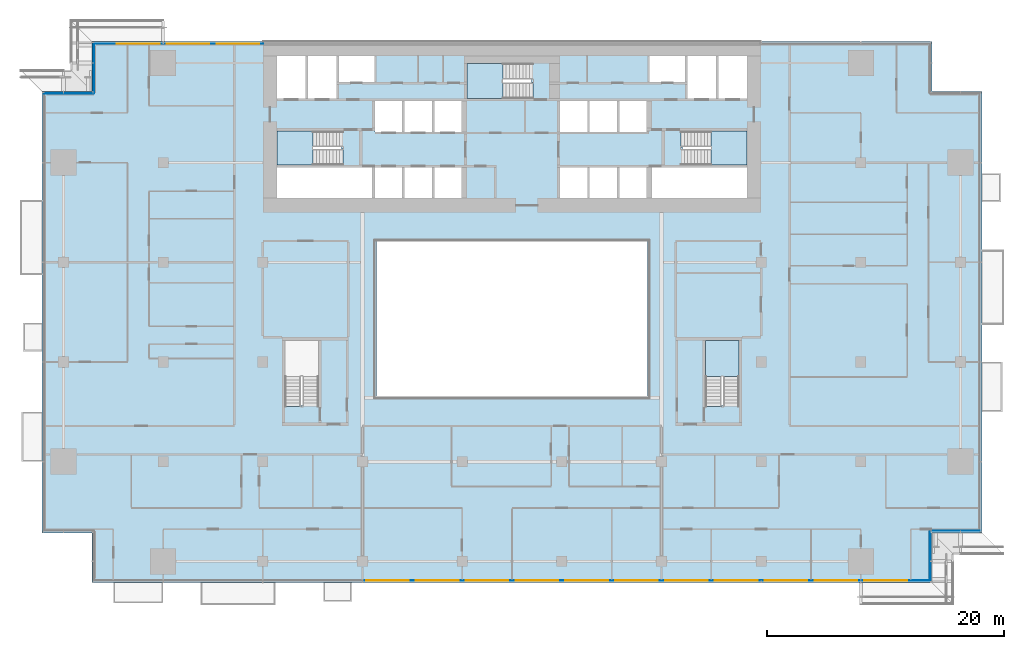
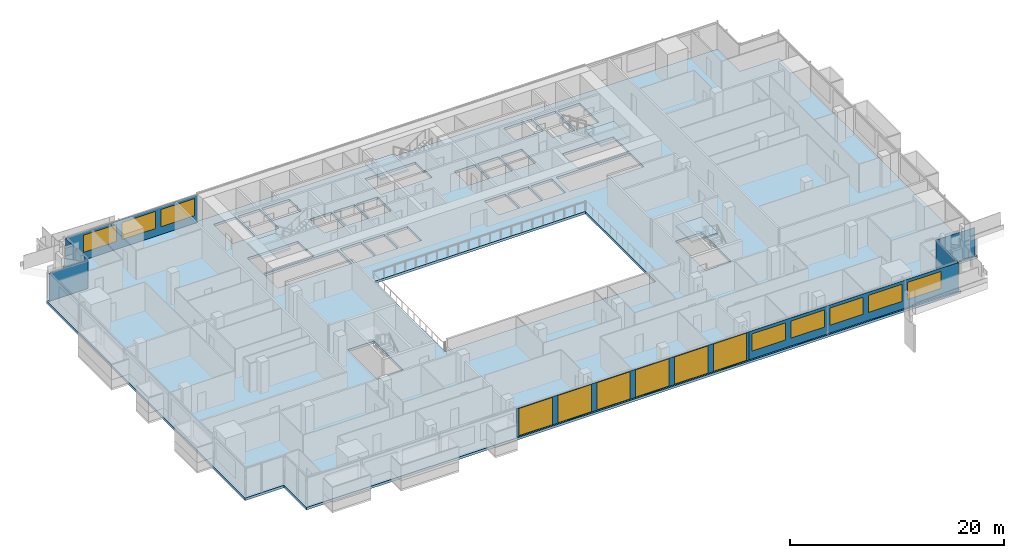
# One storey, part 15 of 29: 14 windows, 7 plates, 5 slabs, 14 openings, 10 elements without a shape of their own.
"""IFC4 building model written with IfcOpenShell, lengths in metres."""

from ifc_helpers import new_model, si_unit, direction, frame, frame_2d, origin, place, context, subcontext, project, spatial, polyline, rectangle, outline, extrude, material, layer, layer_set, type_object, element, fill, aggregate, save


model = new_model("IFC4")

# Units and contexts
model_context = context("Model", 3, precision=1e-05, world=origin(), true_north=direction((0.0, 1.0)))
body_context = subcontext(model_context, "Body", "Model", "MODEL_VIEW")
ifc_project = project(units=[si_unit("LENGTHUNIT", "METRE"), si_unit("AREAUNIT", "SQUARE_METRE"), si_unit("VOLUMEUNIT", "CUBIC_METRE"), si_unit("PLANEANGLEUNIT", "RADIAN"), si_unit("MASSUNIT", "GRAM", prefix="KILO")], contexts=[model_context])

# Site, building, storey
site_placement = place(None, origin())
site = spatial("IfcSite", under=ifc_project, at=site_placement, CompositionType="ELEMENT")
building_placement = place(site_placement, origin())
building = spatial("IfcBuilding", under=site, at=building_placement, Name="Saffron Gate Tower", CompositionType="ELEMENT")
storey_placement = place(building_placement, frame((0.0, 0.0, 48.0)))
storey = spatial("IfcBuildingStorey", under=building, at=storey_placement, Name="L10", CompositionType="ELEMENT", Elevation=48.0)

# Curtain wall, plates, openings, windows
ifc_material_1 = material(Name="Aluminium, bronze anodised", Category="aluminium")
curtain_wall_type_1 = type_object("IfcCurtainWallType", Name="CWS1 curtain wall front facade", PredefinedType="NOTDEFINED", material=ifc_material_1)
curtain_wall_1_placement = place(storey_placement, origin())
curtain_wall_1 = element("IfcCurtainWall", 1, at=curtain_wall_1_placement, inside=storey, type_object=curtain_wall_type_1, Name="CWS1 run 1", PredefinedType="NOTDEFINED")
ifc_material_2 = material(Name="Clear low-iron laminated glass", Category="glass")
ifc_layer_1 = layer(ifc_material_2, 0.028076171875)
ifc_layer_set_1 = layer_set([ifc_layer_1], Name="CWS1 clear glass")
plate_type_1 = type_object("IfcPlateType", Name="CWS1 clear glass", PredefinedType="CURTAIN_PANEL", material=ifc_layer_set_1)
plate_1_placement = place(storey_placement, frame((75.030029296875, 30.174072265625, 0.0), z_axis=(0.0, 0.0, 1.0), x_axis=(1.0, 0.0, 0.0)))
plate_1 = element("IfcPlate", 2, at=plate_1_placement, type_object=plate_type_1, Name="CWS1 clear glass panel", PredefinedType="CURTAIN_PANEL", context=body_context, shape_type="SweptSolid", body=[
    extrude(rectangle(XDim=25.139892578125, YDim=0.028076171875, at=frame_2d((12.56982421875, 0.0))), origin(), (0.0, 0.0, 1.0), 3.199951171875),
])
opening_1_placement = place(plate_1_placement, frame((0.27001953125, 0.0, 0.050048828125)))
opening_1 = element("IfcOpeningElement", 3, at=opening_1_placement, cuts=plate_1, Name="Opening WA", PredefinedType="OPENING", context=body_context, shape_type="SweptSolid", body=[
    extrude(rectangle(XDim=3.60009765625, YDim=3.10009765625, at=frame_2d((1.800048828125, 1.550048828125))), frame((0.0, 0.02392578125, 0.0), z_axis=(0.0, -1.0, 0.0), x_axis=(1.0, 0.0, 0.0)), (0.0, 0.0, 1.0), 0.048095703125),
])
opening_2_placement = place(plate_1_placement, frame((4.469970703125, 0.0, 0.050048828125)))
opening_2 = element("IfcOpeningElement", 4, at=opening_2_placement, cuts=plate_1, Name="Opening WA", PredefinedType="OPENING", context=body_context, shape_type="SweptSolid", body=[
    extrude(rectangle(XDim=3.60009765625, YDim=3.10009765625, at=frame_2d((1.800048828125, 1.550048828125))), frame((0.0, 0.02392578125, 0.0), z_axis=(0.0, -1.0, 0.0), x_axis=(1.0, 0.0, 0.0)), (0.0, 0.0, 1.0), 0.048095703125),
])
opening_3_placement = place(plate_1_placement, frame((8.669921875, 0.0, 0.050048828125)))
opening_3 = element("IfcOpeningElement", 5, at=opening_3_placement, cuts=plate_1, Name="Opening WA", PredefinedType="OPENING", context=body_context, shape_type="SweptSolid", body=[
    extrude(rectangle(XDim=3.60009765625, YDim=3.10009765625, at=frame_2d((1.800048828125, 1.550048828125))), frame((0.0, 0.02392578125, 0.0), z_axis=(0.0, -1.0, 0.0), x_axis=(1.0, 0.0, 0.0)), (0.0, 0.0, 1.0), 0.048095703125),
])
opening_4_placement = place(plate_1_placement, frame((12.8701171875, 0.0, 0.050048828125)))
opening_4 = element("IfcOpeningElement", 6, at=opening_4_placement, cuts=plate_1, Name="Opening WA", PredefinedType="OPENING", context=body_context, shape_type="SweptSolid", body=[
    extrude(rectangle(XDim=3.60009765625, YDim=3.10009765625, at=frame_2d((1.800048828125, 1.550048828125))), frame((0.0, 0.02392578125, 0.0), z_axis=(0.0, -1.0, 0.0), x_axis=(1.0, 0.0, 0.0)), (0.0, 0.0, 1.0), 0.048095703125),
])
opening_5_placement = place(plate_1_placement, frame((17.070068359375, 0.0, 0.050048828125)))
opening_5 = element("IfcOpeningElement", 7, at=opening_5_placement, cuts=plate_1, Name="Opening WA", PredefinedType="OPENING", context=body_context, shape_type="SweptSolid", body=[
    extrude(rectangle(XDim=3.60009765625, YDim=3.10009765625, at=frame_2d((1.800048828125, 1.550048828125))), frame((0.0, 0.02392578125, 0.0), z_axis=(0.0, -1.0, 0.0), x_axis=(1.0, 0.0, 0.0)), (0.0, 0.0, 1.0), 0.048095703125),
])
opening_6_placement = place(plate_1_placement, frame((21.27001953125, 0.0, 0.050048828125)))
opening_6 = element("IfcOpeningElement", 8, at=opening_6_placement, cuts=plate_1, Name="Opening WA", PredefinedType="OPENING", context=body_context, shape_type="SweptSolid", body=[
    extrude(rectangle(XDim=3.60009765625, YDim=3.10009765625, at=frame_2d((1.800048828125, 1.550048828125))), frame((0.0, 0.02392578125, 0.0), z_axis=(0.0, -1.0, 0.0), x_axis=(1.0, 0.0, 0.0)), (0.0, 0.0, 1.0), 0.048095703125),
])
ifc_material_3 = material(Name="Clear low-iron laminated glass in bronze frame", Category="glass")
ifc_layer_2 = layer(ifc_material_3, 0.06005859375)
ifc_layer_set_2 = layer_set([ifc_layer_2], Name="WA operable atrium unit 3600x3100")
window_type_1 = type_object("IfcWindowType", Name="WA operable atrium unit 3600x3100", PartitioningType="DOUBLE_PANEL_HORIZONTAL", PredefinedType="WINDOW", material=ifc_layer_set_2)
window_1_placement = place(opening_1_placement, origin())
window_1 = element("IfcWindow", 9, at=window_1_placement, type_object=window_type_1, Name="WA operable atrium unit", OverallHeight=3.10009765625, OverallWidth=3.60009765625, PartitioningType="SINGLE_PANEL", PredefinedType="WINDOW", context=body_context, shape_type="SweptSolid", body=[
    extrude(rectangle(XDim=3.60009765625, YDim=3.10009765625, at=frame_2d((1.800048828125, 1.550048828125))), frame((0.0, 0.013671875, 0.0), z_axis=(0.0, -1.0, 0.0), x_axis=(1.0, 0.0, 0.0)), (0.0, 0.0, 1.0), 0.027587890625),
])
fill(opening_1, window_1)
window_2_placement = place(opening_2_placement, origin())
window_2 = element("IfcWindow", 10, at=window_2_placement, type_object=window_type_1, Name="WA operable atrium unit", OverallHeight=3.10009765625, OverallWidth=3.60009765625, PartitioningType="SINGLE_PANEL", PredefinedType="WINDOW", context=body_context, shape_type="SweptSolid", body=[
    extrude(rectangle(XDim=3.60009765625, YDim=3.10009765625, at=frame_2d((1.800048828125, 1.550048828125))), frame((0.0, 0.013671875, 0.0), z_axis=(0.0, -1.0, 0.0), x_axis=(1.0, 0.0, 0.0)), (0.0, 0.0, 1.0), 0.027587890625),
])
fill(opening_2, window_2)
window_3_placement = place(opening_3_placement, origin())
window_3 = element("IfcWindow", 11, at=window_3_placement, type_object=window_type_1, Name="WA operable atrium unit", OverallHeight=3.10009765625, OverallWidth=3.60009765625, PartitioningType="SINGLE_PANEL", PredefinedType="WINDOW", context=body_context, shape_type="SweptSolid", body=[
    extrude(rectangle(XDim=3.60009765625, YDim=3.10009765625, at=frame_2d((1.800048828125, 1.550048828125))), frame((0.0, 0.013671875, 0.0), z_axis=(0.0, -1.0, 0.0), x_axis=(1.0, 0.0, 0.0)), (0.0, 0.0, 1.0), 0.027587890625),
])
fill(opening_3, window_3)
window_4_placement = place(opening_4_placement, origin())
window_4 = element("IfcWindow", 12, at=window_4_placement, type_object=window_type_1, Name="WA operable atrium unit", OverallHeight=3.10009765625, OverallWidth=3.60009765625, PartitioningType="SINGLE_PANEL", PredefinedType="WINDOW", context=body_context, shape_type="SweptSolid", body=[
    extrude(rectangle(XDim=3.60009765625, YDim=3.10009765625, at=frame_2d((1.800048828125, 1.550048828125))), frame((0.0, 0.013671875, 0.0), z_axis=(0.0, -1.0, 0.0), x_axis=(1.0, 0.0, 0.0)), (0.0, 0.0, 1.0), 0.027587890625),
])
fill(opening_4, window_4)
window_5_placement = place(opening_5_placement, origin())
window_5 = element("IfcWindow", 13, at=window_5_placement, type_object=window_type_1, Name="WA operable atrium unit", OverallHeight=3.10009765625, OverallWidth=3.60009765625, PartitioningType="SINGLE_PANEL", PredefinedType="WINDOW", context=body_context, shape_type="SweptSolid", body=[
    extrude(rectangle(XDim=3.60009765625, YDim=3.10009765625, at=frame_2d((1.800048828125, 1.550048828125))), frame((0.0, 0.013671875, 0.0), z_axis=(0.0, -1.0, 0.0), x_axis=(1.0, 0.0, 0.0)), (0.0, 0.0, 1.0), 0.027587890625),
])
fill(opening_5, window_5)
window_6_placement = place(opening_6_placement, origin())
window_6 = element("IfcWindow", 14, at=window_6_placement, type_object=window_type_1, Name="WA operable atrium unit", OverallHeight=3.10009765625, OverallWidth=3.60009765625, PartitioningType="SINGLE_PANEL", PredefinedType="WINDOW", context=body_context, shape_type="SweptSolid", body=[
    extrude(rectangle(XDim=3.60009765625, YDim=3.10009765625, at=frame_2d((1.800048828125, 1.550048828125))), frame((0.0, 0.013671875, 0.0), z_axis=(0.0, -1.0, 0.0), x_axis=(1.0, 0.0, 0.0)), (0.0, 0.0, 1.0), 0.027587890625),
])
fill(opening_6, window_6)
ifc_material_4 = material(Name="Fritted bronze-tinted laminated glass", Category="glass")
ifc_layer_3 = layer(ifc_material_4, 0.028076171875)
ifc_layer_set_3 = layer_set([ifc_layer_3], Name="CWS1 fixed glass")
plate_type_2 = type_object("IfcPlateType", Name="CWS1 fixed glass", PredefinedType="CURTAIN_PANEL", material=ifc_layer_set_3)
plate_2_placement = place(storey_placement, frame((100.169921875, 30.174072265625, 0.0), z_axis=(0.0, 0.0, 1.0), x_axis=(1.0, 0.0, 0.0)))
plate_2 = element("IfcPlate", 15, at=plate_2_placement, type_object=plate_type_2, Name="CWS1 glass panel", PredefinedType="CURTAIN_PANEL", context=body_context, shape_type="SweptSolid", body=[
    extrude(rectangle(XDim=22.64208984375, YDim=0.028076171875, at=frame_2d((11.321044921875, 0.0))), origin(), (0.0, 0.0, 1.0), 3.199951171875),
])
opening_7_placement = place(plate_2_placement, frame((0.330078125, 0.0, 0.89990234375)))
opening_7 = element("IfcOpeningElement", 16, at=opening_7_placement, cuts=plate_2, Name="Opening W1", PredefinedType="OPENING", context=body_context, shape_type="SweptSolid", body=[
    extrude(rectangle(XDim=3.60009765625, YDim=1.949951171875, at=frame_2d((1.800048828125, 0.97509765625))), frame((0.0, 0.02392578125, 0.0), z_axis=(0.0, -1.0, 0.0), x_axis=(1.0, 0.0, 0.0)), (0.0, 0.0, 1.0), 0.048095703125),
])
opening_8_placement = place(plate_2_placement, frame((4.530029296875, 0.0, 0.89990234375)))
opening_8 = element("IfcOpeningElement", 17, at=opening_8_placement, cuts=plate_2, Name="Opening W1", PredefinedType="OPENING", context=body_context, shape_type="SweptSolid", body=[
    extrude(rectangle(XDim=3.60009765625, YDim=1.949951171875, at=frame_2d((1.800048828125, 0.97509765625))), frame((0.0, 0.02392578125, 0.0), z_axis=(0.0, -1.0, 0.0), x_axis=(1.0, 0.0, 0.0)), (0.0, 0.0, 1.0), 0.048095703125),
])
opening_9_placement = place(plate_2_placement, frame((8.72998046875, 0.0, 0.89990234375)))
opening_9 = element("IfcOpeningElement", 18, at=opening_9_placement, cuts=plate_2, Name="Opening W1", PredefinedType="OPENING", context=body_context, shape_type="SweptSolid", body=[
    extrude(rectangle(XDim=3.60009765625, YDim=1.949951171875, at=frame_2d((1.800048828125, 0.97509765625))), frame((0.0, 0.02392578125, 0.0), z_axis=(0.0, -1.0, 0.0), x_axis=(1.0, 0.0, 0.0)), (0.0, 0.0, 1.0), 0.048095703125),
])
opening_10_placement = place(plate_2_placement, frame((12.929931640625, 0.0, 0.89990234375)))
opening_10 = element("IfcOpeningElement", 19, at=opening_10_placement, cuts=plate_2, Name="Opening W1", PredefinedType="OPENING", context=body_context, shape_type="SweptSolid", body=[
    extrude(rectangle(XDim=3.60009765625, YDim=1.949951171875, at=frame_2d((1.800048828125, 0.97509765625))), frame((0.0, 0.02392578125, 0.0), z_axis=(0.0, -1.0, 0.0), x_axis=(1.0, 0.0, 0.0)), (0.0, 0.0, 1.0), 0.048095703125),
])
opening_11_placement = place(plate_2_placement, frame((17.1298828125, 0.0, 0.89990234375)))
opening_11 = element("IfcOpeningElement", 20, at=opening_11_placement, cuts=plate_2, Name="Opening W1", PredefinedType="OPENING", context=body_context, shape_type="SweptSolid", body=[
    extrude(rectangle(XDim=3.60009765625, YDim=1.949951171875, at=frame_2d((1.800048828125, 0.97509765625))), frame((0.0, 0.02392578125, 0.0), z_axis=(0.0, -1.0, 0.0), x_axis=(1.0, 0.0, 0.0)), (0.0, 0.0, 1.0), 0.048095703125),
])
ifc_material_5 = material(Name="Fritted bronze-tinted laminated glass in bronze frame", Category="glass")
ifc_layer_4 = layer(ifc_material_5, 0.06005859375)
ifc_layer_set_4 = layer_set([ifc_layer_4], Name="W1 operable panel 3600x1950")
window_type_2 = type_object("IfcWindowType", Name="W1 operable panel 3600x1950", PartitioningType="DOUBLE_PANEL_HORIZONTAL", PredefinedType="WINDOW", material=ifc_layer_set_4)
window_7_placement = place(opening_7_placement, origin())
window_7 = element("IfcWindow", 21, at=window_7_placement, type_object=window_type_2, Name="W1 operable panel", OverallHeight=1.949951171875, OverallWidth=3.60009765625, PartitioningType="SINGLE_PANEL", PredefinedType="WINDOW", context=body_context, shape_type="SweptSolid", body=[
    extrude(rectangle(XDim=3.60009765625, YDim=1.949951171875, at=frame_2d((1.800048828125, 0.97509765625))), frame((0.0, 0.013671875, 0.0), z_axis=(0.0, -1.0, 0.0), x_axis=(1.0, 0.0, 0.0)), (0.0, 0.0, 1.0), 0.027587890625),
])
fill(opening_7, window_7)
window_8_placement = place(opening_8_placement, origin())
window_8 = element("IfcWindow", 22, at=window_8_placement, type_object=window_type_2, Name="W1 operable panel", OverallHeight=1.949951171875, OverallWidth=3.60009765625, PartitioningType="SINGLE_PANEL", PredefinedType="WINDOW", context=body_context, shape_type="SweptSolid", body=[
    extrude(rectangle(XDim=3.60009765625, YDim=1.949951171875, at=frame_2d((1.800048828125, 0.97509765625))), frame((0.0, 0.013671875, 0.0), z_axis=(0.0, -1.0, 0.0), x_axis=(1.0, 0.0, 0.0)), (0.0, 0.0, 1.0), 0.027587890625),
])
fill(opening_8, window_8)
window_9_placement = place(opening_9_placement, origin())
window_9 = element("IfcWindow", 23, at=window_9_placement, type_object=window_type_2, Name="W1 operable panel", OverallHeight=1.949951171875, OverallWidth=3.60009765625, PartitioningType="SINGLE_PANEL", PredefinedType="WINDOW", context=body_context, shape_type="SweptSolid", body=[
    extrude(rectangle(XDim=3.60009765625, YDim=1.949951171875, at=frame_2d((1.800048828125, 0.97509765625))), frame((0.0, 0.013671875, 0.0), z_axis=(0.0, -1.0, 0.0), x_axis=(1.0, 0.0, 0.0)), (0.0, 0.0, 1.0), 0.027587890625),
])
fill(opening_9, window_9)
window_10_placement = place(opening_10_placement, origin())
window_10 = element("IfcWindow", 24, at=window_10_placement, type_object=window_type_2, Name="W1 operable panel", OverallHeight=1.949951171875, OverallWidth=3.60009765625, PartitioningType="SINGLE_PANEL", PredefinedType="WINDOW", context=body_context, shape_type="SweptSolid", body=[
    extrude(rectangle(XDim=3.60009765625, YDim=1.949951171875, at=frame_2d((1.800048828125, 0.97509765625))), frame((0.0, 0.013671875, 0.0), z_axis=(0.0, -1.0, 0.0), x_axis=(1.0, 0.0, 0.0)), (0.0, 0.0, 1.0), 0.027587890625),
])
fill(opening_10, window_10)
window_11_placement = place(opening_11_placement, origin())
window_11 = element("IfcWindow", 25, at=window_11_placement, type_object=window_type_2, Name="W1 operable panel", OverallHeight=1.949951171875, OverallWidth=3.60009765625, PartitioningType="SINGLE_PANEL", PredefinedType="WINDOW", context=body_context, shape_type="SweptSolid", body=[
    extrude(rectangle(XDim=3.60009765625, YDim=1.949951171875, at=frame_2d((1.800048828125, 0.97509765625))), frame((0.0, 0.013671875, 0.0), z_axis=(0.0, -1.0, 0.0), x_axis=(1.0, 0.0, 0.0)), (0.0, 0.0, 1.0), 0.027587890625),
])
fill(opening_11, window_11)
aggregate(curtain_wall_1, [plate_2, plate_1, window_7, window_8, window_9, window_10, window_11, window_1, window_2, window_3, window_4, window_5, window_6])

# Curtain wall, plate, openings, windows
curtain_wall_type_2 = type_object("IfcCurtainWallType", Name="CWS3 curtain wall rear facade", PredefinedType="NOTDEFINED", material=ifc_material_1)
curtain_wall_2_placement = place(storey_placement, origin())
curtain_wall_2 = element("IfcCurtainWall", 26, at=curtain_wall_2_placement, inside=storey, type_object=curtain_wall_type_2, Name="CWS3 run 7", PredefinedType="NOTDEFINED")
ifc_material_6 = material(Name="Fritted grey-tinted laminated glass", Category="glass")
ifc_layer_5 = layer(ifc_material_6, 0.028076171875)
ifc_layer_set_5 = layer_set([ifc_layer_5], Name="CWS3 fixed glass")
plate_type_3 = type_object("IfcPlateType", Name="CWS3 fixed glass", PredefinedType="CURTAIN_PANEL", material=ifc_layer_set_5)
plate_3_placement = place(storey_placement, frame((66.635009765625, 75.426025390625, 0.0), z_axis=(0.0, 0.0, 1.0), x_axis=(-1.0, 0.0, 0.0)))
plate_3 = element("IfcPlate", 27, at=plate_3_placement, type_object=plate_type_3, Name="CWS3 glass panel", PredefinedType="CURTAIN_PANEL", context=body_context, shape_type="SweptSolid", body=[
    extrude(rectangle(XDim=14.2470703125, YDim=0.028076171875, at=frame_2d((7.12353515625, 0.0))), origin(), (0.0, 0.0, 1.0), 3.199951171875),
])
opening_12_placement = place(plate_3_placement, frame((0.3349609375, 0.0, 0.89990234375)))
opening_12 = element("IfcOpeningElement", 28, at=opening_12_placement, cuts=plate_3, Name="Opening W1", PredefinedType="OPENING", context=body_context, shape_type="SweptSolid", body=[
    extrude(rectangle(XDim=3.60009765625, YDim=1.949951171875, at=frame_2d((1.800048828125, 0.97509765625))), frame((0.0, 0.02392578125, 0.0), z_axis=(0.0, -1.0, 0.0), x_axis=(1.0, 0.0, 0.0)), (0.0, 0.0, 1.0), 0.048095703125),
])
opening_13_placement = place(plate_3_placement, frame((4.534912109375, 0.0, 0.89990234375)))
opening_13 = element("IfcOpeningElement", 29, at=opening_13_placement, cuts=plate_3, Name="Opening W1", PredefinedType="OPENING", context=body_context, shape_type="SweptSolid", body=[
    extrude(rectangle(XDim=3.60009765625, YDim=1.949951171875, at=frame_2d((1.800048828125, 0.97509765625))), frame((0.0, 0.02392578125, 0.0), z_axis=(0.0, -1.0, 0.0), x_axis=(1.0, 0.0, 0.0)), (0.0, 0.0, 1.0), 0.048095703125),
])
opening_14_placement = place(plate_3_placement, frame((8.735107421875, 0.0, 0.89990234375)))
opening_14 = element("IfcOpeningElement", 30, at=opening_14_placement, cuts=plate_3, Name="Opening W1", PredefinedType="OPENING", context=body_context, shape_type="SweptSolid", body=[
    extrude(rectangle(XDim=3.60009765625, YDim=1.949951171875, at=frame_2d((1.800048828125, 0.97509765625))), frame((0.0, 0.02392578125, 0.0), z_axis=(0.0, -1.0, 0.0), x_axis=(1.0, 0.0, 0.0)), (0.0, 0.0, 1.0), 0.048095703125),
])
window_12_placement = place(opening_12_placement, origin())
window_12 = element("IfcWindow", 31, at=window_12_placement, type_object=window_type_2, Name="W1 operable panel", OverallHeight=1.949951171875, OverallWidth=3.60009765625, PartitioningType="SINGLE_PANEL", PredefinedType="WINDOW", context=body_context, shape_type="SweptSolid", body=[
    extrude(rectangle(XDim=3.60009765625, YDim=1.949951171875, at=frame_2d((1.800048828125, 0.97509765625))), frame((0.0, 0.013671875, 0.0), z_axis=(0.0, -1.0, 0.0), x_axis=(1.0, 0.0, 0.0)), (0.0, 0.0, 1.0), 0.027587890625),
])
fill(opening_12, window_12)
window_13_placement = place(opening_13_placement, origin())
window_13 = element("IfcWindow", 32, at=window_13_placement, type_object=window_type_2, Name="W1 operable panel", OverallHeight=1.949951171875, OverallWidth=3.60009765625, PartitioningType="SINGLE_PANEL", PredefinedType="WINDOW", context=body_context, shape_type="SweptSolid", body=[
    extrude(rectangle(XDim=3.60009765625, YDim=1.949951171875, at=frame_2d((1.800048828125, 0.97509765625))), frame((0.0, 0.013671875, 0.0), z_axis=(0.0, -1.0, 0.0), x_axis=(1.0, 0.0, 0.0)), (0.0, 0.0, 1.0), 0.027587890625),
])
fill(opening_13, window_13)
window_14_placement = place(opening_14_placement, origin())
window_14 = element("IfcWindow", 33, at=window_14_placement, type_object=window_type_2, Name="W1 operable panel", OverallHeight=1.949951171875, OverallWidth=3.60009765625, PartitioningType="SINGLE_PANEL", PredefinedType="WINDOW", context=body_context, shape_type="SweptSolid", body=[
    extrude(rectangle(XDim=3.60009765625, YDim=1.949951171875, at=frame_2d((1.800048828125, 0.97509765625))), frame((0.0, 0.013671875, 0.0), z_axis=(0.0, -1.0, 0.0), x_axis=(1.0, 0.0, 0.0)), (0.0, 0.0, 1.0), 0.027587890625),
])
fill(opening_14, window_14)
aggregate(curtain_wall_2, [plate_3, window_12, window_13, window_14])

# Curtain wall, plate
curtain_wall_type_3 = type_object("IfcCurtainWallType", Name="CWS4 curtain wall corner returns", PredefinedType="NOTDEFINED", material=ifc_material_1)
curtain_wall_3_placement = place(storey_placement, origin())
curtain_wall_3 = element("IfcCurtainWall", 34, at=curtain_wall_3_placement, inside=storey, type_object=curtain_wall_type_3, Name="CWS4 run 2", PredefinedType="NOTDEFINED")
ifc_layer_6 = layer(ifc_material_4, 0.028076171875)
ifc_layer_set_6 = layer_set([ifc_layer_6], Name="CWS4 fixed glass")
plate_type_4 = type_object("IfcPlateType", Name="CWS4 fixed glass", PredefinedType="CURTAIN_PANEL", material=ifc_layer_set_6)
plate_4_placement = place(storey_placement, frame((122.825927734375, 30.18798828125, 0.0), z_axis=(0.0, 0.0, 1.0), x_axis=(0.0, 1.0, 0.0)))
plate_4 = element("IfcPlate", 35, at=plate_4_placement, type_object=plate_type_4, Name="CWS4 glass panel", PredefinedType="CURTAIN_PANEL", context=body_context, shape_type="SweptSolid", body=[
    extrude(rectangle(XDim=4.172119140625, YDim=0.028076171875, at=frame_2d((2.0859375, 0.0))), origin(), (0.0, 0.0, 1.0), 3.199951171875),
])
aggregate(curtain_wall_3, [plate_4])

curtain_wall_4_placement = place(storey_placement, origin())
curtain_wall_4 = element("IfcCurtainWall", 36, at=curtain_wall_4_placement, inside=storey, type_object=curtain_wall_type_3, Name="CWS4 run 3", PredefinedType="NOTDEFINED")
plate_5_placement = place(storey_placement, frame((122.840087890625, 34.3740234375, 0.0), z_axis=(0.0, 0.0, 1.0), x_axis=(1.0, 0.0, 0.0)))
plate_5 = element("IfcPlate", 37, at=plate_5_placement, type_object=plate_type_4, Name="CWS4 glass panel", PredefinedType="CURTAIN_PANEL", context=body_context, shape_type="SweptSolid", body=[
    extrude(rectangle(XDim=4.171875, YDim=0.028076171875, at=frame_2d((2.0859375, 0.0))), origin(), (0.0, 0.0, 1.0), 3.199951171875),
])
aggregate(curtain_wall_4, [plate_5])

curtain_wall_5_placement = place(storey_placement, origin())
curtain_wall_5 = element("IfcCurtainWall", 38, at=curtain_wall_5_placement, inside=storey, type_object=curtain_wall_type_3, Name="CWS4 run 8", PredefinedType="NOTDEFINED")
plate_6_placement = place(storey_placement, frame((52.3740234375, 75.412109375, 0.0), z_axis=(0.0, 0.0, 1.0), x_axis=(0.0, -1.0, 0.0)))
plate_6 = element("IfcPlate", 39, at=plate_6_placement, type_object=plate_type_4, Name="CWS4 glass panel", PredefinedType="CURTAIN_PANEL", context=body_context, shape_type="SweptSolid", body=[
    extrude(rectangle(XDim=4.172119140625, YDim=0.028076171875, at=frame_2d((2.0859375, 0.0))), origin(), (0.0, 0.0, 1.0), 3.199951171875),
])
aggregate(curtain_wall_5, [plate_6])

curtain_wall_6_placement = place(storey_placement, origin())
curtain_wall_6 = element("IfcCurtainWall", 40, at=curtain_wall_6_placement, inside=storey, type_object=curtain_wall_type_3, Name="CWS4 run 9", PredefinedType="NOTDEFINED")
plate_7_placement = place(storey_placement, frame((52.360107421875, 71.22607421875, 0.0), z_axis=(0.0, 0.0, 1.0), x_axis=(-1.0, 0.0, 0.0)))
plate_7 = element("IfcPlate", 41, at=plate_7_placement, type_object=plate_type_4, Name="CWS4 glass panel", PredefinedType="CURTAIN_PANEL", context=body_context, shape_type="SweptSolid", body=[
    extrude(rectangle(XDim=4.172119140625, YDim=0.028076171875, at=frame_2d((2.0859375, 0.0))), origin(), (0.0, 0.0, 1.0), 3.199951171875),
])
aggregate(curtain_wall_6, [plate_7])

# Slab
ifc_material_7 = material(Name="Concrete C40", Category="concrete")
ifc_layer_7 = layer(ifc_material_7, 0.280029296875)
ifc_layer_set_7 = layer_set([ifc_layer_7], Name="S2 FLOOR SLAB 280 CONCRETE C40")
slab_type_1 = type_object("IfcSlabType", Name="S2 FLOOR SLAB 280 CONCRETE C40", PredefinedType="FLOOR", material=ifc_layer_set_7)
slab_1_placement = place(storey_placement, frame((0.0, 0.0, -0.280029296875)))
element("IfcSlab", 42, at=slab_1_placement, inside=storey, type_object=slab_type_1, Name="S2 FLOOR SLAB", PredefinedType="FLOOR", context=body_context, shape_type="SweptSolid", body=[
    extrude(outline(polyline([(48.0, 34.199951171875), (52.199951171875, 34.199951171875), (52.199951171875, 30.0), (123.0, 30.0), (123.0, 34.199951171875), (127.199951171875, 34.199951171875), (127.199951171875, 71.39990234375), (123.0, 71.39990234375), (123.0, 75.60009765625), (52.199951171875, 75.60009765625), (52.199951171875, 71.39990234375), (48.0, 71.39990234375), (48.0, 34.199951171875)]), holes=[polyline([(67.800048828125, 62.39990234375), (67.800048828125, 65.0), (75.800048828125, 65.0), (75.800048828125, 62.39990234375), (67.800048828125, 62.39990234375)]), polyline([(67.800048828125, 65.199951171875), (67.800048828125, 68.050048828125), (73.25, 68.050048828125), (73.25, 66.550048828125), (73.34912109375, 66.550048828125), (73.34912109375, 65.199951171875), (67.800048828125, 65.199951171875)]), polyline([(67.800048828125, 70.800048828125), (67.800048828125, 74.39990234375), (70.199951171875, 74.39990234375), (70.199951171875, 70.800048828125), (67.800048828125, 70.800048828125)]), polyline([(68.449951171875, 44.85107421875), (68.449951171875, 50.39990234375), (71.300048828125, 50.39990234375), (71.300048828125, 44.949951171875), (69.800048828125, 44.949951171875), (69.800048828125, 44.85107421875), (68.449951171875, 44.85107421875)]), polyline([(70.39990234375, 70.800048828125), (70.39990234375, 74.39990234375), (72.800048828125, 74.39990234375), (72.800048828125, 70.800048828125), (70.39990234375, 70.800048828125)]), polyline([(73.0, 72.199951171875), (73.0, 74.39990234375), (76.0, 74.39990234375), (76.0, 72.199951171875), (73.0, 72.199951171875)]), polyline([(76.050048828125, 62.39990234375), (76.050048828125, 65.0), (78.35009765625, 65.0), (78.35009765625, 62.39990234375), (76.050048828125, 62.39990234375)]), polyline([(76.050048828125, 68.0), (76.050048828125, 70.60009765625), (78.35009765625, 70.60009765625), (78.35009765625, 68.0), (76.050048828125, 68.0)]), polyline([(76.199951171875, 45.60009765625), (76.199951171875, 58.800048828125), (99.0, 58.800048828125), (99.0, 45.60009765625), (76.199951171875, 45.60009765625)]), polyline([(78.550048828125, 62.39990234375), (78.550048828125, 65.0), (80.85009765625, 65.0), (80.85009765625, 62.39990234375), (78.550048828125, 62.39990234375)]), polyline([(78.550048828125, 68.0), (78.550048828125, 70.60009765625), (80.85009765625, 70.60009765625), (80.85009765625, 68.0), (78.550048828125, 68.0)]), polyline([(81.050048828125, 62.39990234375), (81.050048828125, 65.0), (83.35009765625, 65.0), (83.35009765625, 62.39990234375), (81.050048828125, 62.39990234375)]), polyline([(81.050048828125, 68.0), (81.050048828125, 70.60009765625), (83.35009765625, 70.60009765625), (83.35009765625, 68.0), (81.050048828125, 68.0)]), polyline([(83.800048828125, 70.800048828125), (83.800048828125, 73.75), (89.25, 73.75), (89.25, 72.14990234375), (89.34912109375, 72.14990234375), (89.34912109375, 70.800048828125), (83.800048828125, 70.800048828125)]), polyline([(91.64990234375, 62.39990234375), (91.64990234375, 65.0), (93.949951171875, 65.0), (93.949951171875, 62.39990234375), (91.64990234375, 62.39990234375)]), polyline([(91.64990234375, 68.0), (91.64990234375, 70.60009765625), (93.949951171875, 70.60009765625), (93.949951171875, 68.0), (91.64990234375, 68.0)]), polyline([(94.14990234375, 62.39990234375), (94.14990234375, 65.0), (96.449951171875, 65.0), (96.449951171875, 62.39990234375), (94.14990234375, 62.39990234375)]), polyline([(94.14990234375, 68.0), (94.14990234375, 70.60009765625), (96.449951171875, 70.60009765625), (96.449951171875, 68.0), (94.14990234375, 68.0)]), polyline([(96.64990234375, 62.39990234375), (96.64990234375, 65.0), (98.949951171875, 65.0), (98.949951171875, 62.39990234375), (96.64990234375, 62.39990234375)]), polyline([(96.64990234375, 68.0), (96.64990234375, 70.60009765625), (98.949951171875, 70.60009765625), (98.949951171875, 68.0), (96.64990234375, 68.0)]), polyline([(99.199951171875, 72.199951171875), (99.199951171875, 74.39990234375), (102.199951171875, 74.39990234375), (102.199951171875, 72.199951171875), (99.199951171875, 72.199951171875)]), polyline([(99.39990234375, 62.39990234375), (99.39990234375, 65.0), (107.39990234375, 65.0), (107.39990234375, 62.39990234375), (99.39990234375, 62.39990234375)]), polyline([(101.85107421875, 66.699951171875), (101.85107421875, 68.050048828125), (107.39990234375, 68.050048828125), (107.39990234375, 65.199951171875), (101.949951171875, 65.199951171875), (101.949951171875, 66.699951171875), (101.85107421875, 66.699951171875)]), polyline([(102.39990234375, 70.800048828125), (102.39990234375, 74.39990234375), (104.800048828125, 74.39990234375), (104.800048828125, 70.800048828125), (102.39990234375, 70.800048828125)]), polyline([(103.89990234375, 44.85107421875), (103.89990234375, 50.39990234375), (106.75, 50.39990234375), (106.75, 44.949951171875), (105.25, 44.949951171875), (105.25, 44.85107421875), (103.89990234375, 44.85107421875)]), polyline([(105.0, 70.800048828125), (105.0, 74.39990234375), (107.39990234375, 74.39990234375), (107.39990234375, 70.800048828125), (105.0, 70.800048828125)])]), origin(), (0.0, 0.0, 1.0), 0.280029296875),
])

# Stair, slab
stair_type = type_object("IfcStairType", Name="ST7 Stair 1350 wide, 20 risers of 180", PredefinedType="HALF_TURN_STAIR", material=ifc_material_7)
stair_1_placement = place(storey_placement, origin())
stair_1 = element("IfcStair", 43, at=stair_1_placement, inside=storey, type_object=stair_type, Name="L10 Exit stair A", PredefinedType="HALF_TURN_STAIR")
ifc_layer_8 = layer(ifc_material_7, 0.199951171875)
ifc_layer_set_8 = layer_set([ifc_layer_8], Name="SL1 Stair landing 200")
slab_type_2 = type_object("IfcSlabType", Name="SL1 Stair landing 200", PredefinedType="LANDING", material=ifc_layer_set_8)
slab_2_placement = place(storey_placement, frame((0.0, 0.0, 1.60009765625)))
slab_2 = element("IfcSlab", 44, at=slab_2_placement, type_object=slab_type_2, Name="ST-A landing 1", PredefinedType="LANDING", context=body_context, shape_type="SweptSolid", body=[
    extrude(outline(polyline([(70.830078125, 68.050048828125), (67.800048828125, 68.050048828125), (67.800048828125, 65.199951171875), (70.830078125, 65.199951171875), (70.830078125, 68.050048828125)])), origin(), (0.0, 0.0, 1.0), 0.199951171875),
])
aggregate(stair_1, [slab_2])

stair_2_placement = place(storey_placement, origin())
stair_2 = element("IfcStair", 45, at=stair_2_placement, inside=storey, type_object=stair_type, Name="L10 Exit stair B", PredefinedType="HALF_TURN_STAIR")
slab_3_placement = place(storey_placement, frame((0.0, 0.0, 1.60009765625)))
slab_3 = element("IfcSlab", 46, at=slab_3_placement, type_object=slab_type_2, Name="ST-B landing 1", PredefinedType="LANDING", context=body_context, shape_type="SweptSolid", body=[
    extrude(outline(polyline([(104.3701171875, 65.199951171875), (107.39990234375, 65.199951171875), (107.39990234375, 68.050048828125), (104.3701171875, 68.050048828125), (104.3701171875, 65.199951171875)])), origin(), (0.0, 0.0, 1.0), 0.199951171875),
])
aggregate(stair_2, [slab_3])

stair_3_placement = place(storey_placement, origin())
stair_3 = element("IfcStair", 47, at=stair_3_placement, inside=storey, type_object=stair_type, Name="L10 Exit stair C", PredefinedType="HALF_TURN_STAIR")
slab_4_placement = place(storey_placement, frame((0.0, 0.0, 1.60009765625)))
slab_4 = element("IfcSlab", 48, at=slab_4_placement, type_object=slab_type_2, Name="ST-C landing 1", PredefinedType="LANDING", context=body_context, shape_type="SweptSolid", body=[
    extrude(outline(polyline([(86.830078125, 73.75), (83.800048828125, 73.75), (83.800048828125, 70.800048828125), (86.830078125, 70.800048828125), (86.830078125, 73.75)])), origin(), (0.0, 0.0, 1.0), 0.199951171875),
])
aggregate(stair_3, [slab_4])

stair_4_placement = place(storey_placement, origin())
stair_4 = element("IfcStair", 49, at=stair_4_placement, inside=storey, type_object=stair_type, Name="L10 Exit stair E", PredefinedType="HALF_TURN_STAIR")
slab_5_placement = place(storey_placement, frame((0.0, 0.0, 1.60009765625)))
slab_5 = element("IfcSlab", 50, at=slab_5_placement, type_object=slab_type_2, Name="ST-E landing 1", PredefinedType="LANDING", context=body_context, shape_type="SweptSolid", body=[
    extrude(outline(polyline([(106.75, 47.3701171875), (106.75, 50.39990234375), (103.89990234375, 50.39990234375), (103.89990234375, 47.3701171875), (106.75, 47.3701171875)])), origin(), (0.0, 0.0, 1.0), 0.199951171875),
])
aggregate(stair_4, [slab_5])

save(model, "model.ifc")
